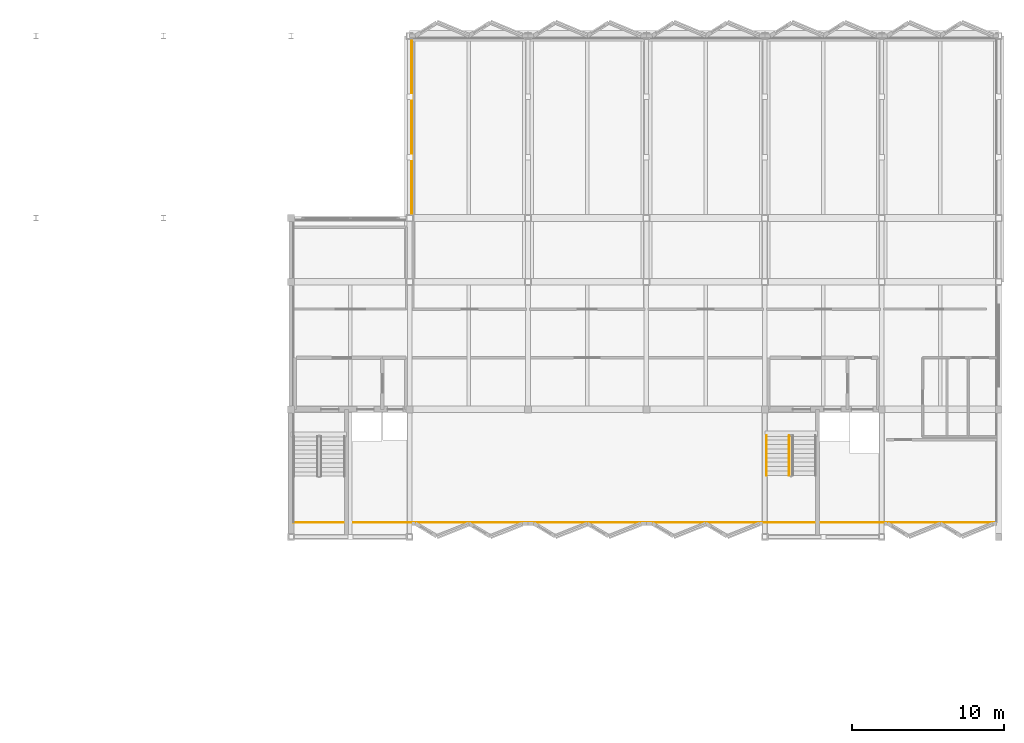
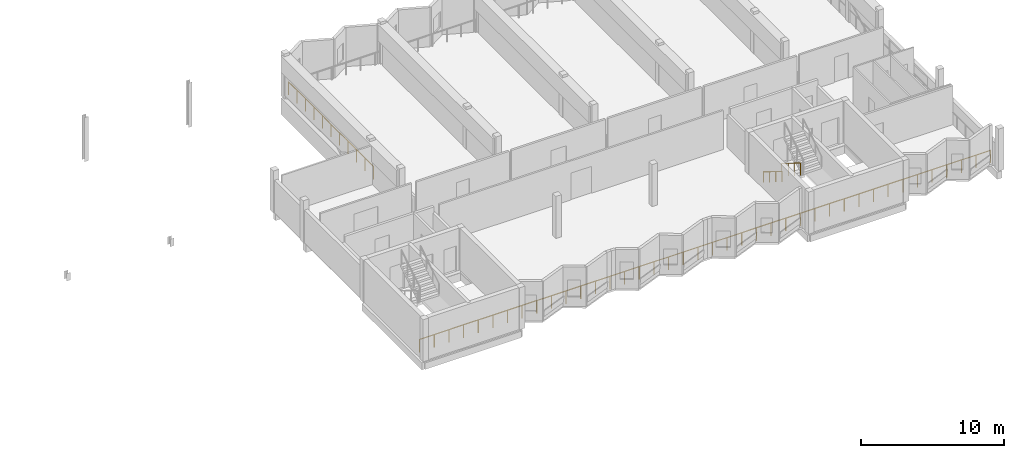
# One storey, part 32 of 34: 4 railings.
"""IFC4 building model written with IfcOpenShell, lengths in metres."""

from ifc_helpers import new_model, si_unit, direction, frame, origin, origin_2d, place, context, subcontext, project, spatial, circle, extrude, material, type_object, element, save


model = new_model("IFC4")

# Units and contexts
model_context = context("Model", 3, precision=1e-05, world=origin(), true_north=direction((0.0, 1.0)))
body_context = subcontext(model_context, "Body", "Model", "MODEL_VIEW")
ifc_project = project(units=[si_unit("LENGTHUNIT", "METRE"), si_unit("AREAUNIT", "SQUARE_METRE"), si_unit("VOLUMEUNIT", "CUBIC_METRE"), si_unit("PLANEANGLEUNIT", "RADIAN"), si_unit("MASSUNIT", "GRAM", prefix="KILO")], contexts=[model_context])

# Site, building, storey
site_placement = place(None, origin())
site = spatial("IfcSite", under=ifc_project, at=site_placement, CompositionType="ELEMENT")
building_placement = place(site_placement, origin())
building = spatial("IfcBuilding", under=site, at=building_placement, Name="Vharandega Faculty of Natural Sciences", CompositionType="ELEMENT")
storey_placement = place(building_placement, frame((0.0, 0.0, 21.60009765625)))
storey = spatial("IfcBuildingStorey", under=building, at=storey_placement, Name="L05", CompositionType="ELEMENT", Elevation=21.60009765625)

# Railings
ifc_material_1 = material(Name="Brushed stainless steel handrail", Category="steel")
railing_type_1 = type_object("IfcRailingType", Name="Stair Tubular Handrail 900", PredefinedType="HANDRAIL", material=ifc_material_1)
railing_1_placement = place(storey_placement, frame((146.110107421875, 70.659912109375, 0.179931640625)))
element("IfcRailing", 1, at=railing_1_placement, inside=storey, type_object=railing_type_1, Name="L05 ST2 stair handrail 1", PredefinedType="HANDRAIL", context=body_context, shape_type="SweptSolid", body=[
    extrude(circle(Radius=0.02392578125, at=origin_2d()), frame((0.0, 0.0, 0.8759765625), z_axis=(0.0, -0.849646306263, 0.527352969322), x_axis=(1.0, 0.0, 0.0)), (0.0, 0.0, 1.0), 3.07177734375),
    extrude(circle(Radius=0.02099609375, at=origin_2d()), origin(), (0.0, 0.0, 1.0), 0.851806640625),
    extrude(circle(Radius=0.02099609375, at=origin_2d()), frame((0.0, -0.869873046875, 0.5400390625)), (0.0, 0.0, 1.0), 0.851806640625),
    extrude(circle(Radius=0.02099609375, at=origin_2d()), frame((0.0, -1.739990234375, 1.079833984375)), (0.0, 0.0, 1.0), 0.851806640625),
    extrude(circle(Radius=0.02099609375, at=origin_2d()), frame((0.0, -2.60986328125, 1.619873046875)), (0.0, 0.0, 1.0), 0.851806640625),
])
ifc_material_2 = material(Name="Painted steel stair guardrail", Category="steel")
railing_type_2 = type_object("IfcRailingType", Name="Stairwell Steel Guardrail 1100", PredefinedType="GUARDRAIL", material=ifc_material_2)
railing_2_placement = place(storey_placement, frame((147.610107421875, 70.659912109375, 0.179931640625)))
element("IfcRailing", 2, at=railing_2_placement, inside=storey, type_object=railing_type_2, Name="L05 ST2 stair guard 1", PredefinedType="GUARDRAIL", context=body_context, shape_type="SweptSolid", body=[
    extrude(circle(Radius=0.02392578125, at=origin_2d()), frame((0.0, 0.0, 1.076171875), z_axis=(0.0, -0.849646306263, 0.527352969322), x_axis=(1.0, 0.0, 0.0)), (0.0, 0.0, 1.0), 3.07177734375),
    extrude(circle(Radius=0.02099609375, at=origin_2d()), origin(), (0.0, 0.0, 1.0), 1.052001953125),
    extrude(circle(Radius=0.02099609375, at=origin_2d()), frame((0.0, -0.869873046875, 0.5400390625)), (0.0, 0.0, 1.0), 1.052001953125),
    extrude(circle(Radius=0.02099609375, at=origin_2d()), frame((0.0, -1.739990234375, 1.079833984375)), (0.0, 0.0, 1.0), 1.052001953125),
    extrude(circle(Radius=0.02099609375, at=origin_2d()), frame((0.0, -2.60986328125, 1.619873046875)), (0.0, 0.0, 1.0), 1.052001953125),
])
ifc_material_3 = material(Name="Galvanised painted steel balustrade", Category="steel")
railing_type_3 = type_object("IfcRailingType", Name="Terrace Steel Guardrail 1100", PredefinedType="GUARDRAIL", material=ifc_material_3)
railing_3_placement = place(storey_placement, frame((114.97509765625, 64.949951171875, 0.0)))
element("IfcRailing", 3, at=railing_3_placement, inside=storey, type_object=railing_type_3, Name="Perimeter Sill Guard L05 #1", PredefinedType="GUARDRAIL", context=body_context, shape_type="SweptSolid", body=[
    extrude(circle(Radius=0.02392578125, at=origin_2d()), frame((0.0, 0.0, 1.076171875), z_axis=(1.0, 0.0, 0.0), x_axis=(0.0, 1.0, 0.0)), (0.0, 0.0, 1.0), 46.25),
    extrude(circle(Radius=0.02099609375, at=origin_2d()), origin(), (0.0, 0.0, 1.0), 1.052001953125),
    extrude(circle(Radius=0.02099609375, at=origin_2d()), frame((1.185791015625, 0.0, 0.0)), (0.0, 0.0, 1.0), 1.052001953125),
    extrude(circle(Radius=0.02099609375, at=origin_2d()), frame((2.371826171875, 0.0, 0.0)), (0.0, 0.0, 1.0), 1.052001953125),
    extrude(circle(Radius=0.02099609375, at=origin_2d()), frame((3.5576171875, 0.0, 0.0)), (0.0, 0.0, 1.0), 1.052001953125),
    extrude(circle(Radius=0.02099609375, at=origin_2d()), frame((4.74365234375, 0.0, 0.0)), (0.0, 0.0, 1.0), 1.052001953125),
    extrude(circle(Radius=0.02099609375, at=origin_2d()), frame((5.929443359375, 0.0, 0.0)), (0.0, 0.0, 1.0), 1.052001953125),
    extrude(circle(Radius=0.02099609375, at=origin_2d()), frame((7.115478515625, 0.0, 0.0)), (0.0, 0.0, 1.0), 1.052001953125),
    extrude(circle(Radius=0.02099609375, at=origin_2d()), frame((8.30126953125, 0.0, 0.0)), (0.0, 0.0, 1.0), 1.052001953125),
    extrude(circle(Radius=0.02099609375, at=origin_2d()), frame((9.487060546875, 0.0, 0.0)), (0.0, 0.0, 1.0), 1.052001953125),
    extrude(circle(Radius=0.02099609375, at=origin_2d()), frame((10.673095703125, 0.0, 0.0)), (0.0, 0.0, 1.0), 1.052001953125),
    extrude(circle(Radius=0.02099609375, at=origin_2d()), frame((11.85888671875, 0.0, 0.0)), (0.0, 0.0, 1.0), 1.052001953125),
    extrude(circle(Radius=0.02099609375, at=origin_2d()), frame((13.044921875, 0.0, 0.0)), (0.0, 0.0, 1.0), 1.052001953125),
    extrude(circle(Radius=0.02099609375, at=origin_2d()), frame((14.230712890625, 0.0, 0.0)), (0.0, 0.0, 1.0), 1.052001953125),
    extrude(circle(Radius=0.02099609375, at=origin_2d()), frame((15.416748046875, 0.0, 0.0)), (0.0, 0.0, 1.0), 1.052001953125),
    extrude(circle(Radius=0.02099609375, at=origin_2d()), frame((16.6025390625, 0.0, 0.0)), (0.0, 0.0, 1.0), 1.052001953125),
    extrude(circle(Radius=0.02099609375, at=origin_2d()), frame((17.78857421875, 0.0, 0.0)), (0.0, 0.0, 1.0), 1.052001953125),
    extrude(circle(Radius=0.02099609375, at=origin_2d()), frame((18.974365234375, 0.0, 0.0)), (0.0, 0.0, 1.0), 1.052001953125),
    extrude(circle(Radius=0.02099609375, at=origin_2d()), frame((20.16015625, 0.0, 0.0)), (0.0, 0.0, 1.0), 1.052001953125),
    extrude(circle(Radius=0.02099609375, at=origin_2d()), frame((21.34619140625, 0.0, 0.0)), (0.0, 0.0, 1.0), 1.052001953125),
    extrude(circle(Radius=0.02099609375, at=origin_2d()), frame((22.531982421875, 0.0, 0.0)), (0.0, 0.0, 1.0), 1.052001953125),
    extrude(circle(Radius=0.02099609375, at=origin_2d()), frame((23.718017578125, 0.0, 0.0)), (0.0, 0.0, 1.0), 1.052001953125),
    extrude(circle(Radius=0.02099609375, at=origin_2d()), frame((24.90380859375, 0.0, 0.0)), (0.0, 0.0, 1.0), 1.052001953125),
    extrude(circle(Radius=0.02099609375, at=origin_2d()), frame((26.08984375, 0.0, 0.0)), (0.0, 0.0, 1.0), 1.052001953125),
    extrude(circle(Radius=0.02099609375, at=origin_2d()), frame((27.275634765625, 0.0, 0.0)), (0.0, 0.0, 1.0), 1.052001953125),
    extrude(circle(Radius=0.02099609375, at=origin_2d()), frame((28.46142578125, 0.0, 0.0)), (0.0, 0.0, 1.0), 1.052001953125),
    extrude(circle(Radius=0.02099609375, at=origin_2d()), frame((29.6474609375, 0.0, 0.0)), (0.0, 0.0, 1.0), 1.052001953125),
    extrude(circle(Radius=0.02099609375, at=origin_2d()), frame((30.833251953125, 0.0, 0.0)), (0.0, 0.0, 1.0), 1.052001953125),
    extrude(circle(Radius=0.02099609375, at=origin_2d()), frame((32.019287109375, 0.0, 0.0)), (0.0, 0.0, 1.0), 1.052001953125),
    extrude(circle(Radius=0.02099609375, at=origin_2d()), frame((33.205078125, 0.0, 0.0)), (0.0, 0.0, 1.0), 1.052001953125),
    extrude(circle(Radius=0.02099609375, at=origin_2d()), frame((34.39111328125, 0.0, 0.0)), (0.0, 0.0, 1.0), 1.052001953125),
    extrude(circle(Radius=0.02099609375, at=origin_2d()), frame((35.576904296875, 0.0, 0.0)), (0.0, 0.0, 1.0), 1.052001953125),
    extrude(circle(Radius=0.02099609375, at=origin_2d()), frame((36.762939453125, 0.0, 0.0)), (0.0, 0.0, 1.0), 1.052001953125),
    extrude(circle(Radius=0.02099609375, at=origin_2d()), frame((37.94873046875, 0.0, 0.0)), (0.0, 0.0, 1.0), 1.052001953125),
    extrude(circle(Radius=0.02099609375, at=origin_2d()), frame((39.134521484375, 0.0, 0.0)), (0.0, 0.0, 1.0), 1.052001953125),
    extrude(circle(Radius=0.02099609375, at=origin_2d()), frame((40.320556640625, 0.0, 0.0)), (0.0, 0.0, 1.0), 1.052001953125),
    extrude(circle(Radius=0.02099609375, at=origin_2d()), frame((41.50634765625, 0.0, 0.0)), (0.0, 0.0, 1.0), 1.052001953125),
    extrude(circle(Radius=0.02099609375, at=origin_2d()), frame((42.6923828125, 0.0, 0.0)), (0.0, 0.0, 1.0), 1.052001953125),
    extrude(circle(Radius=0.02099609375, at=origin_2d()), frame((43.878173828125, 0.0, 0.0)), (0.0, 0.0, 1.0), 1.052001953125),
    extrude(circle(Radius=0.02099609375, at=origin_2d()), frame((45.064208984375, 0.0, 0.0)), (0.0, 0.0, 1.0), 1.052001953125),
    extrude(circle(Radius=0.02099609375, at=origin_2d()), frame((46.25, 0.0, 0.0)), (0.0, 0.0, 1.0), 1.052001953125),
])
railing_4_placement = place(storey_placement, frame((122.75, 96.824951171875, 0.0)))
element("IfcRailing", 4, at=railing_4_placement, inside=storey, type_object=railing_type_3, Name="Perimeter Sill Guard L05 #4", PredefinedType="GUARDRAIL", context=body_context, shape_type="SweptSolid", body=[
    extrude(circle(Radius=0.02392578125, at=origin_2d()), frame((0.0, 0.0, 1.076171875), z_axis=(0.0, -1.0, 0.0), x_axis=(1.0, 0.0, 0.0)), (0.0, 0.0, 1.0), 11.949951171875),
    extrude(circle(Radius=0.02099609375, at=origin_2d()), origin(), (0.0, 0.0, 1.0), 1.052001953125),
    extrude(circle(Radius=0.02099609375, at=origin_2d()), frame((0.0, -1.195068359375, 0.0)), (0.0, 0.0, 1.0), 1.052001953125),
    extrude(circle(Radius=0.02099609375, at=origin_2d()), frame((0.0, -2.389892578125, 0.0)), (0.0, 0.0, 1.0), 1.052001953125),
    extrude(circle(Radius=0.02099609375, at=origin_2d()), frame((0.0, -3.5849609375, 0.0)), (0.0, 0.0, 1.0), 1.052001953125),
    extrude(circle(Radius=0.02099609375, at=origin_2d()), frame((0.0, -4.780029296875, 0.0)), (0.0, 0.0, 1.0), 1.052001953125),
    extrude(circle(Radius=0.02099609375, at=origin_2d()), frame((0.0, -5.97509765625, 0.0)), (0.0, 0.0, 1.0), 1.052001953125),
    extrude(circle(Radius=0.02099609375, at=origin_2d()), frame((0.0, -7.169921875, 0.0)), (0.0, 0.0, 1.0), 1.052001953125),
    extrude(circle(Radius=0.02099609375, at=origin_2d()), frame((0.0, -8.364990234375, 0.0)), (0.0, 0.0, 1.0), 1.052001953125),
    extrude(circle(Radius=0.02099609375, at=origin_2d()), frame((0.0, -9.56005859375, 0.0)), (0.0, 0.0, 1.0), 1.052001953125),
    extrude(circle(Radius=0.02099609375, at=origin_2d()), frame((0.0, -10.7548828125, 0.0)), (0.0, 0.0, 1.0), 1.052001953125),
    extrude(circle(Radius=0.02099609375, at=origin_2d()), frame((0.0, -11.949951171875, 0.0)), (0.0, 0.0, 1.0), 1.052001953125),
])

save(model, "model.ifc")
